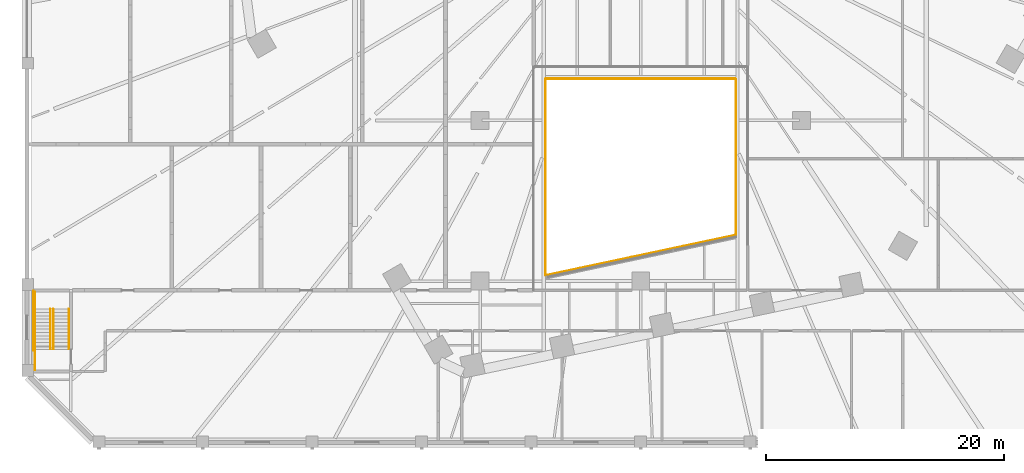
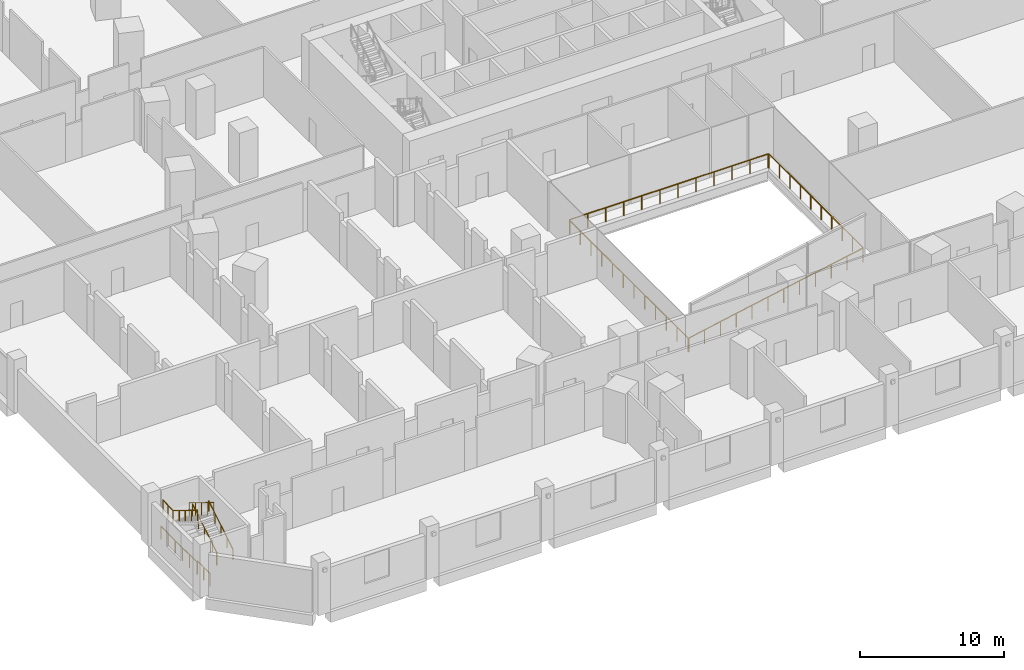
# One storey, part 29 of 33: 11 railings.
"""IFC4 building model written with IfcOpenShell, lengths in metres."""

from ifc_helpers import new_model, si_unit, direction, frame, origin, origin_2d, place, context, subcontext, project, spatial, circle, extrude, material, type_object, element, save


model = new_model("IFC4")

# Units and contexts
model_context = context("Model", 3, precision=1e-05, world=origin(), true_north=direction((0.0, 1.0)))
body_context = subcontext(model_context, "Body", "Model", "MODEL_VIEW")
ifc_project = project(units=[si_unit("LENGTHUNIT", "METRE"), si_unit("AREAUNIT", "SQUARE_METRE"), si_unit("VOLUMEUNIT", "CUBIC_METRE"), si_unit("PLANEANGLEUNIT", "RADIAN"), si_unit("MASSUNIT", "GRAM", prefix="KILO")], contexts=[model_context])

# Site, building, storey
site_placement = place(None, origin())
site = spatial("IfcSite", under=ifc_project, at=site_placement, CompositionType="ELEMENT")
building_placement = place(site_placement, origin())
building = spatial("IfcBuilding", under=site, at=building_placement, Name="Isthmus Gate Tower", CompositionType="ELEMENT")
storey_placement = place(building_placement, frame((0.0, 0.0, 22.5)))
storey = spatial("IfcBuildingStorey", under=building, at=storey_placement, Name="L03", CompositionType="ELEMENT", Elevation=22.5)

# Railings
ifc_material_1 = material(Name="Toughened laminated glass with stainless steel handrail", Category="steel")
railing_type_1 = type_object("IfcRailingType", Name="Atrium glass guard 1200", PredefinedType="GUARDRAIL", material=ifc_material_1)
railing_1_placement = place(storey_placement, frame((-7.951171875, -26.53369140625, 0.0)))
element("IfcRailing", 1, at=railing_1_placement, inside=storey, type_object=railing_type_1, Name="L03 atrium glass guard 1", PredefinedType="GUARDRAIL", context=body_context, shape_type="SweptSolid", body=[
    extrude(circle(Radius=0.030029296875, at=origin_2d()), frame((0.0, 0.0, 1.169921875), z_axis=(0.978147857881, 0.20791048103, 0.0), x_axis=(-0.20791048103, 0.978147857881, 0.0)), (0.0, 0.0, 1.0), 16.257568359375),
    extrude(circle(Radius=0.02490234375, at=origin_2d()), origin(), (0.0, 0.0, 1.0), 1.139892578125),
    extrude(circle(Radius=0.02490234375, at=origin_2d()), frame((1.445556640625, 0.307373046875, 0.0)), (0.0, 0.0, 1.0), 1.139892578125),
    extrude(circle(Radius=0.02490234375, at=origin_2d()), frame((2.891357421875, 0.614501953125, 0.0)), (0.0, 0.0, 1.0), 1.139892578125),
    extrude(circle(Radius=0.02490234375, at=origin_2d()), frame((4.3369140625, 0.921875, 0.0)), (0.0, 0.0, 1.0), 1.139892578125),
    extrude(circle(Radius=0.02490234375, at=origin_2d()), frame((5.78271484375, 1.229248046875, 0.0)), (0.0, 0.0, 1.0), 1.139892578125),
    extrude(circle(Radius=0.02490234375, at=origin_2d()), frame((7.228271484375, 1.536376953125, 0.0)), (0.0, 0.0, 1.0), 1.139892578125),
    extrude(circle(Radius=0.02490234375, at=origin_2d()), frame((8.674072265625, 1.84375, 0.0)), (0.0, 0.0, 1.0), 1.139892578125),
    extrude(circle(Radius=0.02490234375, at=origin_2d()), frame((10.11962890625, 2.15087890625, 0.0)), (0.0, 0.0, 1.0), 1.139892578125),
    extrude(circle(Radius=0.02490234375, at=origin_2d()), frame((11.5654296875, 2.458251953125, 0.0)), (0.0, 0.0, 1.0), 1.139892578125),
    extrude(circle(Radius=0.02490234375, at=origin_2d()), frame((13.010986328125, 2.765625, 0.0)), (0.0, 0.0, 1.0), 1.139892578125),
    extrude(circle(Radius=0.02490234375, at=origin_2d()), frame((14.456787109375, 3.07275390625, 0.0)), (0.0, 0.0, 1.0), 1.139892578125),
    extrude(circle(Radius=0.02490234375, at=origin_2d()), frame((15.90234375, 3.380126953125, 0.0)), (0.0, 0.0, 1.0), 1.139892578125),
])
railing_2_placement = place(storey_placement, frame((8.0, -23.09326171875, 0.0)))
element("IfcRailing", 2, at=railing_2_placement, inside=storey, type_object=railing_type_1, Name="L03 atrium glass guard 2", PredefinedType="GUARDRAIL", context=body_context, shape_type="SweptSolid", body=[
    extrude(circle(Radius=0.030029296875, at=origin_2d()), frame((0.0, 0.0, 1.169921875), z_axis=(0.0, 1.0, 0.0), x_axis=(-1.0, 0.0, 0.0)), (0.0, 0.0, 1.0), 13.043212890625),
    extrude(circle(Radius=0.02490234375, at=origin_2d()), origin(), (0.0, 0.0, 1.0), 1.139892578125),
    extrude(circle(Radius=0.02490234375, at=origin_2d()), frame((0.0, 1.44921875, 0.0)), (0.0, 0.0, 1.0), 1.139892578125),
    extrude(circle(Radius=0.02490234375, at=origin_2d()), frame((0.0, 2.8984375, 0.0)), (0.0, 0.0, 1.0), 1.139892578125),
    extrude(circle(Radius=0.02490234375, at=origin_2d()), frame((0.0, 4.34765625, 0.0)), (0.0, 0.0, 1.0), 1.139892578125),
    extrude(circle(Radius=0.02490234375, at=origin_2d()), frame((0.0, 5.796875, 0.0)), (0.0, 0.0, 1.0), 1.139892578125),
    extrude(circle(Radius=0.02490234375, at=origin_2d()), frame((0.0, 7.246337890625, 0.0)), (0.0, 0.0, 1.0), 1.139892578125),
    extrude(circle(Radius=0.02490234375, at=origin_2d()), frame((0.0, 8.695556640625, 0.0)), (0.0, 0.0, 1.0), 1.139892578125),
    extrude(circle(Radius=0.02490234375, at=origin_2d()), frame((0.0, 10.144775390625, 0.0)), (0.0, 0.0, 1.0), 1.139892578125),
    extrude(circle(Radius=0.02490234375, at=origin_2d()), frame((0.0, 11.593994140625, 0.0)), (0.0, 0.0, 1.0), 1.139892578125),
    extrude(circle(Radius=0.02490234375, at=origin_2d()), frame((0.0, 13.043212890625, 0.0)), (0.0, 0.0, 1.0), 1.139892578125),
])
railing_3_placement = place(storey_placement, frame((7.949951171875, -10.0, 0.0)))
element("IfcRailing", 3, at=railing_3_placement, inside=storey, type_object=railing_type_1, Name="L03 atrium glass guard 3", PredefinedType="GUARDRAIL", context=body_context, shape_type="SweptSolid", body=[
    extrude(circle(Radius=0.030029296875, at=origin_2d()), frame((0.0, 0.0, 1.169921875), z_axis=(-1.0, 0.0, 0.0), x_axis=(0.0, -1.0, 0.0)), (0.0, 0.0, 1.0), 15.89990234375),
    extrude(circle(Radius=0.02490234375, at=origin_2d()), origin(), (0.0, 0.0, 1.0), 1.139892578125),
    extrude(circle(Radius=0.02490234375, at=origin_2d()), frame((-1.445556640625, 0.0, 0.0)), (0.0, 0.0, 1.0), 1.139892578125),
    extrude(circle(Radius=0.02490234375, at=origin_2d()), frame((-2.890869140625, 0.0, 0.0)), (0.0, 0.0, 1.0), 1.139892578125),
    extrude(circle(Radius=0.02490234375, at=origin_2d()), frame((-4.33642578125, 0.0, 0.0)), (0.0, 0.0, 1.0), 1.139892578125),
    extrude(circle(Radius=0.02490234375, at=origin_2d()), frame((-5.78173828125, 0.0, 0.0)), (0.0, 0.0, 1.0), 1.139892578125),
    extrude(circle(Radius=0.02490234375, at=origin_2d()), frame((-7.227294921875, 0.0, 0.0)), (0.0, 0.0, 1.0), 1.139892578125),
    extrude(circle(Radius=0.02490234375, at=origin_2d()), frame((-8.672607421875, 0.0, 0.0)), (0.0, 0.0, 1.0), 1.139892578125),
    extrude(circle(Radius=0.02490234375, at=origin_2d()), frame((-10.1181640625, 0.0, 0.0)), (0.0, 0.0, 1.0), 1.139892578125),
    extrude(circle(Radius=0.02490234375, at=origin_2d()), frame((-11.5634765625, 0.0, 0.0)), (0.0, 0.0, 1.0), 1.139892578125),
    extrude(circle(Radius=0.02490234375, at=origin_2d()), frame((-13.009033203125, 0.0, 0.0)), (0.0, 0.0, 1.0), 1.139892578125),
    extrude(circle(Radius=0.02490234375, at=origin_2d()), frame((-14.454345703125, 0.0, 0.0)), (0.0, 0.0, 1.0), 1.139892578125),
    extrude(circle(Radius=0.02490234375, at=origin_2d()), frame((-15.89990234375, 0.0, 0.0)), (0.0, 0.0, 1.0), 1.139892578125),
])
railing_4_placement = place(storey_placement, frame((-8.0, -10.050048828125, 0.0)))
element("IfcRailing", 4, at=railing_4_placement, inside=storey, type_object=railing_type_1, Name="L03 atrium glass guard 4", PredefinedType="GUARDRAIL", context=body_context, shape_type="SweptSolid", body=[
    extrude(circle(Radius=0.030029296875, at=origin_2d()), frame((0.0, 0.0, 1.169921875), z_axis=(0.0, -1.0, 0.0), x_axis=(1.0, 0.0, 0.0)), (0.0, 0.0, 1.0), 16.444091796875),
    extrude(circle(Radius=0.02490234375, at=origin_2d()), origin(), (0.0, 0.0, 1.0), 1.139892578125),
    extrude(circle(Radius=0.02490234375, at=origin_2d()), frame((0.0, -1.494873046875, 0.0)), (0.0, 0.0, 1.0), 1.139892578125),
    extrude(circle(Radius=0.02490234375, at=origin_2d()), frame((0.0, -2.98974609375, 0.0)), (0.0, 0.0, 1.0), 1.139892578125),
    extrude(circle(Radius=0.02490234375, at=origin_2d()), frame((0.0, -4.48486328125, 0.0)), (0.0, 0.0, 1.0), 1.139892578125),
    extrude(circle(Radius=0.02490234375, at=origin_2d()), frame((0.0, -5.979736328125, 0.0)), (0.0, 0.0, 1.0), 1.139892578125),
    extrude(circle(Radius=0.02490234375, at=origin_2d()), frame((0.0, -7.474609375, 0.0)), (0.0, 0.0, 1.0), 1.139892578125),
    extrude(circle(Radius=0.02490234375, at=origin_2d()), frame((0.0, -8.969482421875, 0.0)), (0.0, 0.0, 1.0), 1.139892578125),
    extrude(circle(Radius=0.02490234375, at=origin_2d()), frame((0.0, -10.46435546875, 0.0)), (0.0, 0.0, 1.0), 1.139892578125),
    extrude(circle(Radius=0.02490234375, at=origin_2d()), frame((0.0, -11.959228515625, 0.0)), (0.0, 0.0, 1.0), 1.139892578125),
    extrude(circle(Radius=0.02490234375, at=origin_2d()), frame((0.0, -13.454345703125, 0.0)), (0.0, 0.0, 1.0), 1.139892578125),
    extrude(circle(Radius=0.02490234375, at=origin_2d()), frame((0.0, -14.94921875, 0.0)), (0.0, 0.0, 1.0), 1.139892578125),
    extrude(circle(Radius=0.02490234375, at=origin_2d()), frame((0.0, -16.444091796875, 0.0)), (0.0, 0.0, 1.0), 1.139892578125),
])
ifc_material_2 = material(Name="Painted steel balusters with timber handrail", Category="steel")
railing_type_2 = type_object("IfcRailingType", Name="Podium stair guard 1100", PredefinedType="GUARDRAIL", material=ifc_material_2)
railing_5_placement = place(storey_placement, frame((-49.35009765625, -32.72509765625, 0.173095703125)))
element("IfcRailing", 5, at=railing_5_placement, inside=storey, type_object=railing_type_2, Name="L03 ST3 stair guard 1", PredefinedType="GUARDRAIL", context=body_context, shape_type="SweptSolid", body=[
    extrude(circle(Radius=0.02392578125, at=origin_2d()), frame((0.0, 0.0, 1.076171875), z_axis=(0.0, 0.850623216509, 0.525775754039), x_axis=(-1.0, 0.0, 0.0)), (0.0, 0.0, 1.0), 3.9501953125),
    extrude(circle(Radius=0.02099609375, at=origin_2d()), origin(), (0.0, 0.0, 1.0), 1.052001953125),
    extrude(circle(Radius=0.02099609375, at=origin_2d()), frame((0.0, 0.840087890625, 0.519287109375)), (0.0, 0.0, 1.0), 1.052001953125),
    extrude(circle(Radius=0.02099609375, at=origin_2d()), frame((0.0, 1.68017578125, 1.03857421875)), (0.0, 0.0, 1.0), 1.052001953125),
    extrude(circle(Radius=0.02099609375, at=origin_2d()), frame((0.0, 2.52001953125, 1.5576171875)), (0.0, 0.0, 1.0), 1.052001953125),
    extrude(circle(Radius=0.02099609375, at=origin_2d()), frame((0.0, 3.360107421875, 2.076904296875)), (0.0, 0.0, 1.0), 1.052001953125),
])
railing_6_placement = place(storey_placement, frame((-50.89990234375, -29.364990234375, 2.25)))
element("IfcRailing", 6, at=railing_6_placement, inside=storey, type_object=railing_type_2, Name="L03 ST3 stair guard 2", PredefinedType="GUARDRAIL", context=body_context, shape_type="SweptSolid", body=[
    extrude(circle(Radius=0.02392578125, at=origin_2d()), frame((0.0, 0.0, 1.076171875), z_axis=(0.0, 1.0, 0.0), x_axis=(-1.0, 0.0, 0.0)), (0.0, 0.0, 1.0), 1.43603515625),
    extrude(circle(Radius=0.02099609375, at=origin_2d()), origin(), (0.0, 0.0, 1.0), 1.052001953125),
    extrude(circle(Radius=0.02099609375, at=origin_2d()), frame((0.0, 0.718017578125, 0.0)), (0.0, 0.0, 1.0), 1.052001953125),
    extrude(circle(Radius=0.02099609375, at=origin_2d()), frame((0.0, 1.43603515625, 0.0)), (0.0, 0.0, 1.0), 1.052001953125),
])
railing_7_placement = place(storey_placement, frame((-49.60009765625, -29.364990234375, 2.423095703125)))
element("IfcRailing", 7, at=railing_7_placement, inside=storey, type_object=railing_type_2, Name="L03 ST3 stair guard 3", PredefinedType="GUARDRAIL", context=body_context, shape_type="SweptSolid", body=[
    extrude(circle(Radius=0.02392578125, at=origin_2d()), frame((0.0, 0.0, 1.076171875), z_axis=(0.0, -0.850623216509, 0.525775754039), x_axis=(1.0, 0.0, 0.0)), (0.0, 0.0, 1.0), 3.9501953125),
    extrude(circle(Radius=0.02099609375, at=origin_2d()), origin(), (0.0, 0.0, 1.0), 1.052001953125),
    extrude(circle(Radius=0.02099609375, at=origin_2d()), frame((0.0, -0.840087890625, 0.519287109375)), (0.0, 0.0, 1.0), 1.052001953125),
    extrude(circle(Radius=0.02099609375, at=origin_2d()), frame((0.0, -1.68017578125, 1.03857421875)), (0.0, 0.0, 1.0), 1.052001953125),
    extrude(circle(Radius=0.02099609375, at=origin_2d()), frame((0.0, -2.52001953125, 1.5576171875)), (0.0, 0.0, 1.0), 1.052001953125),
    extrude(circle(Radius=0.02099609375, at=origin_2d()), frame((0.0, -3.360107421875, 2.076904296875)), (0.0, 0.0, 1.0), 1.052001953125),
])
railing_8_placement = place(storey_placement, frame((-50.89990234375, -34.47509765625, 0.0)))
element("IfcRailing", 8, at=railing_8_placement, inside=storey, type_object=railing_type_2, Name="L03 ST3 stair guard 4", PredefinedType="GUARDRAIL", context=body_context, shape_type="SweptSolid", body=[
    extrude(circle(Radius=0.02392578125, at=origin_2d()), frame((0.0, 0.0, 1.076171875), z_axis=(0.0, 1.0, 0.0), x_axis=(-1.0, 0.0, 0.0)), (0.0, 0.0, 1.0), 1.75),
    extrude(circle(Radius=0.02099609375, at=origin_2d()), origin(), (0.0, 0.0, 1.0), 1.052001953125),
    extrude(circle(Radius=0.02099609375, at=origin_2d()), frame((0.0, 0.875, 0.0)), (0.0, 0.0, 1.0), 1.052001953125),
    extrude(circle(Radius=0.02099609375, at=origin_2d()), frame((0.0, 1.75, 0.0)), (0.0, 0.0, 1.0), 1.052001953125),
])
railing_9_placement = place(storey_placement, frame((-51.0, -32.824951171875, 0.0)))
element("IfcRailing", 9, at=railing_9_placement, inside=storey, type_object=railing_type_2, Name="L03 ST3 stair guard 5", PredefinedType="GUARDRAIL", context=body_context, shape_type="SweptSolid", body=[
    extrude(circle(Radius=0.02392578125, at=origin_2d()), frame((0.0, 0.0, 1.076171875), z_axis=(0.0, 1.0, 0.0), x_axis=(-1.0, 0.0, 0.0)), (0.0, 0.0, 1.0), 4.995849609375),
    extrude(circle(Radius=0.02099609375, at=origin_2d()), origin(), (0.0, 0.0, 1.0), 1.052001953125),
    extrude(circle(Radius=0.02099609375, at=origin_2d()), frame((0.0, 0.999267578125, 0.0)), (0.0, 0.0, 1.0), 1.052001953125),
    extrude(circle(Radius=0.02099609375, at=origin_2d()), frame((0.0, 1.998291015625, 0.0)), (0.0, 0.0, 1.0), 1.052001953125),
    extrude(circle(Radius=0.02099609375, at=origin_2d()), frame((0.0, 2.99755859375, 0.0)), (0.0, 0.0, 1.0), 1.052001953125),
    extrude(circle(Radius=0.02099609375, at=origin_2d()), frame((0.0, 3.99658203125, 0.0)), (0.0, 0.0, 1.0), 1.052001953125),
    extrude(circle(Radius=0.02099609375, at=origin_2d()), frame((0.0, 4.995849609375, 0.0)), (0.0, 0.0, 1.0), 1.052001953125),
])
ifc_material_3 = material(Name="Stainless steel tube", Category="steel")
railing_type_3 = type_object("IfcRailingType", Name="Podium stair handrail 900", PredefinedType="HANDRAIL", material=ifc_material_3)
railing_10_placement = place(storey_placement, frame((-48.050048828125, -32.72509765625, 0.173095703125)))
element("IfcRailing", 10, at=railing_10_placement, inside=storey, type_object=railing_type_3, Name="L03 ST3 stair handrail 1", PredefinedType="HANDRAIL", context=body_context, shape_type="SweptSolid", body=[
    extrude(circle(Radius=0.02392578125, at=origin_2d()), frame((0.0, 0.0, 0.8759765625), z_axis=(0.0, 0.850623216509, 0.525775754039), x_axis=(-1.0, 0.0, 0.0)), (0.0, 0.0, 1.0), 3.9501953125),
    extrude(circle(Radius=0.02099609375, at=origin_2d()), origin(), (0.0, 0.0, 1.0), 0.851806640625),
    extrude(circle(Radius=0.02099609375, at=origin_2d()), frame((0.0, 0.840087890625, 0.519287109375)), (0.0, 0.0, 1.0), 0.851806640625),
    extrude(circle(Radius=0.02099609375, at=origin_2d()), frame((0.0, 1.68017578125, 1.03857421875)), (0.0, 0.0, 1.0), 0.851806640625),
    extrude(circle(Radius=0.02099609375, at=origin_2d()), frame((0.0, 2.52001953125, 1.5576171875)), (0.0, 0.0, 1.0), 0.851806640625),
    extrude(circle(Radius=0.02099609375, at=origin_2d()), frame((0.0, 3.360107421875, 2.076904296875)), (0.0, 0.0, 1.0), 0.851806640625),
])
railing_11_placement = place(storey_placement, frame((-50.89990234375, -29.364990234375, 2.423095703125)))
element("IfcRailing", 11, at=railing_11_placement, inside=storey, type_object=railing_type_3, Name="L03 ST3 stair handrail 2", PredefinedType="HANDRAIL", context=body_context, shape_type="SweptSolid", body=[
    extrude(circle(Radius=0.02392578125, at=origin_2d()), frame((0.0, 0.0, 0.8759765625), z_axis=(0.0, -0.850623216509, 0.525775754039), x_axis=(1.0, 0.0, 0.0)), (0.0, 0.0, 1.0), 3.9501953125),
    extrude(circle(Radius=0.02099609375, at=origin_2d()), origin(), (0.0, 0.0, 1.0), 0.851806640625),
    extrude(circle(Radius=0.02099609375, at=origin_2d()), frame((0.0, -0.840087890625, 0.519287109375)), (0.0, 0.0, 1.0), 0.851806640625),
    extrude(circle(Radius=0.02099609375, at=origin_2d()), frame((0.0, -1.68017578125, 1.03857421875)), (0.0, 0.0, 1.0), 0.851806640625),
    extrude(circle(Radius=0.02099609375, at=origin_2d()), frame((0.0, -2.52001953125, 1.5576171875)), (0.0, 0.0, 1.0), 0.851806640625),
    extrude(circle(Radius=0.02099609375, at=origin_2d()), frame((0.0, -3.360107421875, 2.076904296875)), (0.0, 0.0, 1.0), 0.851806640625),
])

save(model, "model.ifc")
